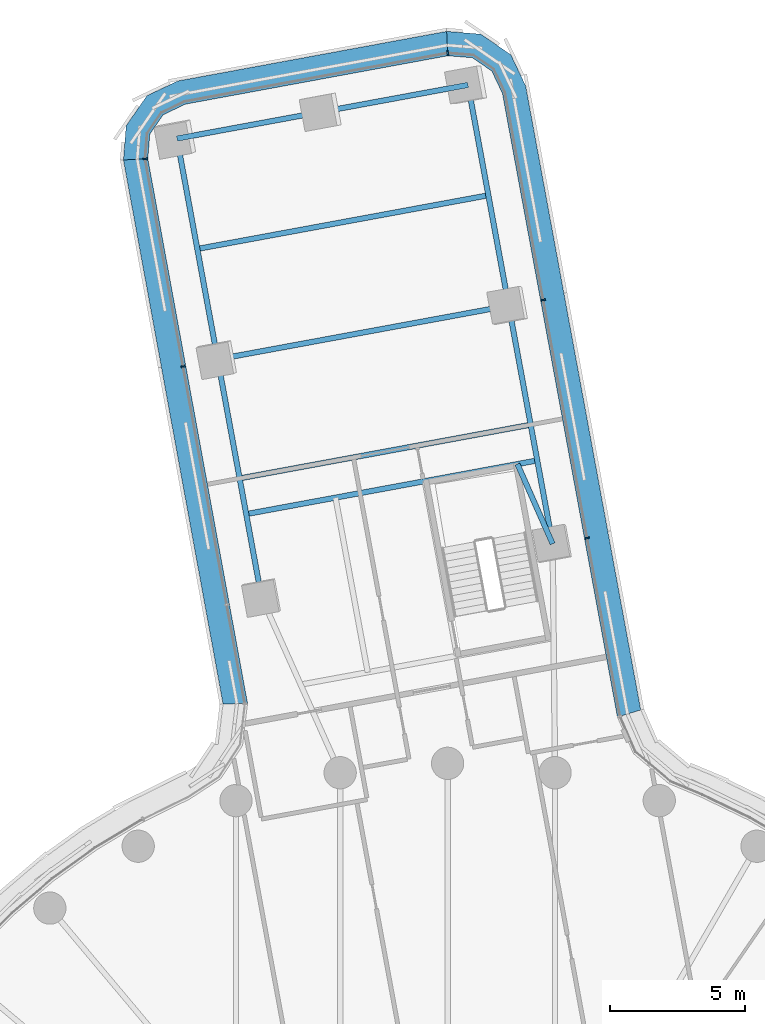
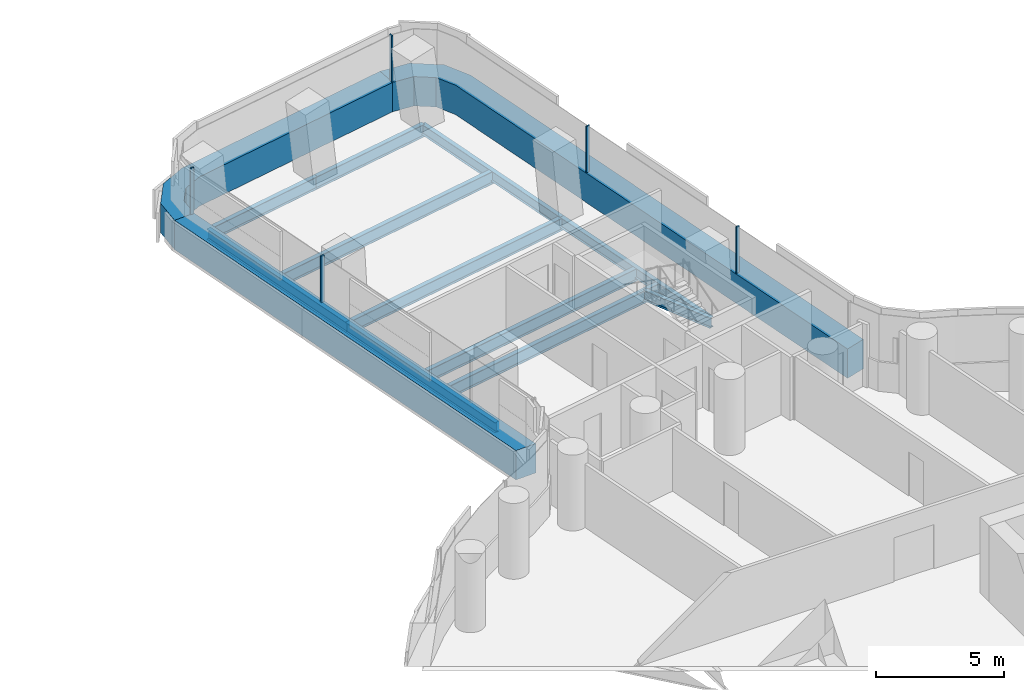
# One storey, part 17 of 33: 11 beams, 8 members, 3 elements without a shape of their own.
"""IFC4 building model written with IfcOpenShell, lengths in metres."""

from ifc_helpers import new_model, si_unit, direction, frame, origin, origin_2d, place, context, subcontext, project, spatial, polyline, rectangle, i_section, outline, extrude, material, layer, layer_set, material_profile, profile_set, type_object, element, aggregate, save


model = new_model("IFC4")

# Units and contexts
model_context = context("Model", 3, precision=1e-05, world=origin(), true_north=direction((0.0, 1.0)))
body_context = subcontext(model_context, "Body", "Model", "MODEL_VIEW")
ifc_project = project(units=[si_unit("LENGTHUNIT", "METRE"), si_unit("AREAUNIT", "SQUARE_METRE"), si_unit("VOLUMEUNIT", "CUBIC_METRE"), si_unit("PLANEANGLEUNIT", "RADIAN"), si_unit("MASSUNIT", "GRAM", prefix="KILO")], contexts=[model_context])

# Site, building, storey
site_placement = place(None, origin())
site = spatial("IfcSite", under=ifc_project, at=site_placement, CompositionType="ELEMENT")
building_placement = place(site_placement, origin())
building = spatial("IfcBuilding", under=site, at=building_placement, Name="Tamarind Cross Interchange Tower", CompositionType="ELEMENT")
storey_placement = place(building_placement, frame((0.0, 0.0, 71.5)))
storey = spatial("IfcBuildingStorey", under=building, at=storey_placement, Name="L16", CompositionType="ELEMENT", Elevation=71.5)

# Beams
ifc_material_1 = material(Name="Steel Q355B", Category="steel")
ifc_material_profile_1 = material_profile(ifc_material_1, i_section(OverallWidth=0.198974609375, OverallDepth=0.49609375, WebThickness=0.009033203125, FlangeThickness=0.013916015625, FilletRadius=0.012939453125, at=origin_2d()), Name="HN 496x199x9x14")
ifc_profile_set_1 = profile_set([ifc_material_profile_1], Name="Steel Q355B")
beam_type_1 = type_object("IfcBeamType", Name="Composite beam HN 496x199x9x14 Q355B", PredefinedType="BEAM", material=ifc_profile_set_1)
beam_1_placement = place(storey_placement, frame((0.7587890625, 48.21435546875, -0.387939453125), z_axis=(0.181331514308, -0.983422026354, 0.0), x_axis=(0.983422026354, 0.181331514308, 0.0)))
element("IfcBeam", 1, at=beam_1_placement, inside=storey, type_object=beam_type_1, Name="Beam N-edgeem5", PredefinedType="BEAM", context=body_context, shape_type="SweptSolid", body=[
    extrude(i_section(OverallWidth=0.198974609375, OverallDepth=0.49609375, WebThickness=0.009033203125, FlangeThickness=0.013916015625, FilletRadius=0.012939453125, at=origin_2d()), origin(), (0.0, 0.0, 1.0), 8.342041015625),
])
beam_2_placement = place(storey_placement, frame((2.271484375, 40.010498046875, -0.387939453125), z_axis=(0.181341247573, -0.983420231604, 0.0), x_axis=(0.983420231604, 0.181341247573, 0.0)))
element("IfcBeam", 2, at=beam_2_placement, inside=storey, type_object=beam_type_1, Name="Beam N-edgeem6", PredefinedType="BEAM", context=body_context, shape_type="SweptSolid", body=[
    extrude(i_section(OverallWidth=0.198974609375, OverallDepth=0.49609375, WebThickness=0.009033203125, FlangeThickness=0.013916015625, FilletRadius=0.012939453125, at=origin_2d()), origin(), (0.0, 0.0, 1.0), 9.0),
])
beam_3_placement = place(storey_placement, frame((-10.058837890625, 46.219482421875, -0.387939453125), z_axis=(0.181336733309, -0.983421064017, 0.0), x_axis=(0.983421064017, 0.181336733309, 0.0)))
element("IfcBeam", 3, at=beam_3_placement, inside=storey, type_object=beam_type_1, Name="Beam N-edgeep2", PredefinedType="BEAM", context=body_context, shape_type="SweptSolid", body=[
    extrude(i_section(OverallWidth=0.198974609375, OverallDepth=0.49609375, WebThickness=0.009033203125, FlangeThickness=0.013916015625, FilletRadius=0.012939453125, at=origin_2d()), origin(), (0.0, 0.0, 1.0), 8.341796875),
])
beam_4_placement = place(storey_placement, frame((-8.546142578125, 38.015869140625, -0.387939453125), z_axis=(0.181341247573, -0.983420231604, 0.0), x_axis=(0.983420231604, 0.181341247573, 0.0)))
element("IfcBeam", 4, at=beam_4_placement, inside=storey, type_object=beam_type_1, Name="Beam N-edgeep3", PredefinedType="BEAM", context=body_context, shape_type="SweptSolid", body=[
    extrude(i_section(OverallWidth=0.198974609375, OverallDepth=0.49609375, WebThickness=0.009033203125, FlangeThickness=0.013916015625, FilletRadius=0.012939453125, at=origin_2d()), origin(), (0.0, 0.0, 1.0), 9.0),
])
beam_5_placement = place(storey_placement, frame((3.903564453125, 31.15966796875, -0.387939453125), z_axis=(-0.404122772424, 0.914704752807, 0.0), x_axis=(-0.914704752807, -0.404122772424, 0.0)))
element("IfcBeam", 5, at=beam_5_placement, inside=storey, type_object=beam_type_1, Name="Beam N-tr0", PredefinedType="BEAM", context=body_context, shape_type="SweptSolid", body=[
    extrude(i_section(OverallWidth=0.198974609375, OverallDepth=0.49609375, WebThickness=0.009033203125, FlangeThickness=0.013916015625, FilletRadius=0.012939453125, at=origin_2d()), origin(), (0.0, 0.0, 1.0), 3.238037109375),
])
ifc_material_profile_2 = material_profile(ifc_material_1, i_section(OverallWidth=0.199951171875, OverallDepth=0.60009765625, WebThickness=0.010986328125, FlangeThickness=0.01708984375, FilletRadius=0.012939453125, at=origin_2d()), Name="HN 600x200x11x17")
ifc_profile_set_2 = profile_set([ifc_material_profile_2], Name="Steel Q355B")
beam_type_2 = type_object("IfcBeamType", Name="Composite beam HN 600x200x11x17 Q355B", PredefinedType="BEAM", material=ifc_profile_set_2)
beam_6_placement = place(storey_placement, frame((0.7587890625, 48.21435546875, -0.43994140625), z_axis=(-0.983421538482, -0.181334160183, 0.0), x_axis=(0.181334160183, -0.983421538482, 0.0)))
element("IfcBeam", 6, at=beam_6_placement, inside=storey, type_object=beam_type_2, Name="Beam N-tip0", PredefinedType="BEAM", context=body_context, shape_type="SweptSolid", body=[
    extrude(i_section(OverallWidth=0.199951171875, OverallDepth=0.60009765625, WebThickness=0.010986328125, FlangeThickness=0.01708984375, FilletRadius=0.012939453125, at=origin_2d()), origin(), (0.0, 0.0, 1.0), 5.499755859375),
])
beam_7_placement = place(storey_placement, frame((-4.64990234375, 47.217041015625, -0.43994140625), z_axis=(-0.983415081816, -0.181369172841, 0.0), x_axis=(0.181369172841, -0.983415081816, 0.0)))
element("IfcBeam", 7, at=beam_7_placement, inside=storey, type_object=beam_type_2, Name="Beam N-tip1", PredefinedType="BEAM", context=body_context, shape_type="SweptSolid", body=[
    extrude(i_section(OverallWidth=0.199951171875, OverallDepth=0.60009765625, WebThickness=0.010986328125, FlangeThickness=0.01708984375, FilletRadius=0.012939453125, at=origin_2d()), origin(), (0.0, 0.0, 1.0), 5.500244140625),
])
for number, where, z_axis, x_axis, name in (
    (8, (3.33251953125, 34.257568359375, -0.43994140625), (-0.983418310221, -0.181351666994, 0.0), (0.181351666994, -0.983418310221, 0.0), "Beam N-x334"),
    (9, (2.271484375, 40.010498046875, -0.43994140625), (-0.98342226828, -0.181330202258, 0.0), (0.181330202258, -0.98342226828, 0.0), "Beam N-x393"),
    (10, (3.087646484375, 35.585205078125, -0.43994140625), (-0.983418310221, -0.181351666994, 0.0), (0.181351666994, -0.983418310221, 0.0), "Beam N-x348"),
    (11, (1.51513671875, 44.112548828125, -0.43994140625), (-0.983418310221, -0.181351666994, 0.0), (0.181351666994, -0.983418310221, 0.0), "Beam N-x435"),
):
    element("IfcBeam", number, at=place(storey_placement, frame(where, z_axis=z_axis, x_axis=x_axis)), inside=storey, type_object=beam_type_2, Name=name, PredefinedType="BEAM", context=body_context, shape_type="SweptSolid", body=[
        extrude(i_section(OverallWidth=0.199951171875, OverallDepth=0.60009765625, WebThickness=0.010986328125, FlangeThickness=0.01708984375, FilletRadius=0.012939453125, at=origin_2d()), origin(), (0.0, 0.0, 1.0), 11.0),
    ])

# Curtain wall, member
ifc_material_2 = material(Name="Aluminium 6063-T6", Category="aluminium")
ifc_layer = layer(ifc_material_2, 0.159912109375)
ifc_layer_set = layer_set([ifc_layer], Name="Aluminium 6063-T6")
curtain_wall_type = type_object("IfcCurtainWallType", Name="Office curtain wall, 9.0 m bays", PredefinedType="NOTDEFINED", material=ifc_layer_set)
curtain_wall_1_placement = place(storey_placement, origin())
curtain_wall_1 = element("IfcCurtainWall", 12, at=curtain_wall_1_placement, inside=storey, type_object=curtain_wall_type, Name="CWS-L16-11", PredefinedType="NOTDEFINED")
ifc_material_3 = material(Name="Aluminium and insulated spandrel panel", Category="aluminium")
member_type_1 = type_object("IfcMemberType", Name="Floor-edge blade transom", PredefinedType="USERDEFINED", material=ifc_material_3)
member_1_placement = place(storey_placement, origin())
member_1 = element("IfcMember", 13, at=member_1_placement, type_object=member_type_1, Name="CWT-L16-11", ObjectType="TRANSOM", PredefinedType="USERDEFINED", context=body_context, shape_type="SweptSolid", body=[
    extrude(outline(polyline([(6.311767578125, 24.71728515625), (2.03662109375, 47.9013671875), (1.643310546875, 48.72802734375), (0.923095703125, 49.223876953125), (0.0107421875, 49.296630859375), (-0.0361328125, 50.203125), (1.23486328125, 50.10205078125), (2.3525390625, 49.33251953125), (2.900390625, 48.18115234375), (7.177978515625, 24.983154296875), (6.311767578125, 24.71728515625)])), origin(), (0.0, 0.0, 1.0), 1.39990234375),
])

curtain_wall_2_placement = place(storey_placement, origin())
curtain_wall_2 = element("IfcCurtainWall", 14, at=curtain_wall_2_placement, inside=storey, type_object=curtain_wall_type, Name="CWS-L16-12", PredefinedType="NOTDEFINED")
member_2_placement = place(storey_placement, origin())
member_2 = element("IfcMember", 15, at=member_2_placement, type_object=member_type_1, Name="CWT-L16-12", ObjectType="TRANSOM", PredefinedType="USERDEFINED", context=body_context, shape_type="SweptSolid", body=[
    extrude(outline(polyline([(0.0107421875, 49.296630859375), (-9.745849609375, 47.49755859375), (-10.572509765625, 47.104248046875), (-11.068359375, 46.384033203125), (-11.14111328125, 45.47119140625), (-12.047607421875, 45.425048828125), (-11.946533203125, 46.69580078125), (-11.177001953125, 47.813232421875), (-10.025634765625, 48.361083984375), (-0.0361328125, 50.203125), (0.0107421875, 49.296630859375)])), origin(), (0.0, 0.0, 1.0), 1.39990234375),
])

curtain_wall_3_placement = place(storey_placement, origin())
curtain_wall_3 = element("IfcCurtainWall", 16, at=curtain_wall_3_placement, inside=storey, type_object=curtain_wall_type, Name="CWS-L16-13", PredefinedType="NOTDEFINED")
member_3_placement = place(storey_placement, origin())
member_3 = element("IfcMember", 17, at=member_3_placement, type_object=member_type_1, Name="CWT-L16-13", ObjectType="TRANSOM", PredefinedType="USERDEFINED", context=body_context, shape_type="SweptSolid", body=[
    extrude(outline(polyline([(-11.14111328125, 45.47119140625), (-7.435546875, 25.23046875), (-8.34521484375, 25.201904296875), (-12.047607421875, 45.425048828125), (-11.14111328125, 45.47119140625)])), origin(), (0.0, 0.0, 1.0), 1.39990234375),
])

# Member
ifc_material_profile_3 = material_profile(ifc_material_2, rectangle(XDim=0.06005859375, YDim=0.159912109375, at=origin_2d()), Name="Mullion CW1")
ifc_profile_set_3 = profile_set([ifc_material_profile_3], Name="Aluminium 6063-T6")
member_type_2 = type_object("IfcMemberType", Name="Mullion CW1", PredefinedType="MULLION", material=ifc_profile_set_3)
member_4_placement = place(storey_placement, frame((5.1865234375, 31.371826171875, 1.39990234375), z_axis=(0.0, 0.0, 1.0), x_axis=(-0.181343076715, 0.983419894311, 0.0)))
member_4 = element("IfcMember", 18, at=member_4_placement, type_object=member_type_2, Name="CWM-L16-11-01", PredefinedType="MULLION", context=body_context, shape_type="SweptSolid", body=[
    extrude(rectangle(XDim=0.06005859375, YDim=0.159912109375, at=origin_2d()), origin(), (0.0, 0.0, 1.0), 2.210205078125),
])

member_5_placement = place(storey_placement, frame((3.5546875, 40.221435546875, 1.39990234375), z_axis=(0.0, 0.0, 1.0), x_axis=(-0.181343076715, 0.983419894311, 0.0)))
member_5 = element("IfcMember", 19, at=member_5_placement, type_object=member_type_2, Name="CWM-L16-11-02", PredefinedType="MULLION", context=body_context, shape_type="SweptSolid", body=[
    extrude(rectangle(XDim=0.06005859375, YDim=0.159912109375, at=origin_2d()), origin(), (0.0, 0.0, 1.0), 2.210205078125),
])

aggregate(curtain_wall_1, [member_4, member_5, member_1])

member_6_placement = place(storey_placement, frame((0.00537109375, 49.3974609375, 1.39990234375), z_axis=(0.0, 0.0, 1.0), x_axis=(-0.998676622077, -0.051429607397, 0.0)))
member_6 = element("IfcMember", 20, at=member_6_placement, type_object=member_type_2, Name="CWM-L16-12-00", PredefinedType="MULLION", context=body_context, shape_type="SweptSolid", body=[
    extrude(rectangle(XDim=0.06005859375, YDim=0.159912109375, at=origin_2d()), origin(), (0.0, 0.0, 1.0), 2.210205078125),
])

aggregate(curtain_wall_2, [member_6, member_2])

member_7_placement = place(storey_placement, frame((-11.241943359375, 45.466064453125, 1.39990234375), z_axis=(0.0, 0.0, 1.0), x_axis=(0.050791479342, -0.998709279834, 0.0)))
member_7 = element("IfcMember", 21, at=member_7_placement, type_object=member_type_2, Name="CWM-L16-13-00", PredefinedType="MULLION", context=body_context, shape_type="SweptSolid", body=[
    extrude(rectangle(XDim=0.06005859375, YDim=0.159912109375, at=origin_2d()), origin(), (0.0, 0.0, 1.0), 2.210205078125),
])

member_8_placement = place(storey_placement, frame((-9.829345703125, 37.750732421875, 1.39990234375), z_axis=(0.0, 0.0, 1.0), x_axis=(0.180086190758, -0.98365083434, 0.0)))
member_8 = element("IfcMember", 22, at=member_8_placement, type_object=member_type_2, Name="CWM-L16-13-01", PredefinedType="MULLION", context=body_context, shape_type="SweptSolid", body=[
    extrude(rectangle(XDim=0.06005859375, YDim=0.159912109375, at=origin_2d()), origin(), (0.0, 0.0, 1.0), 2.210205078125),
])

aggregate(curtain_wall_3, [member_7, member_8, member_3])

save(model, "model.ifc")
